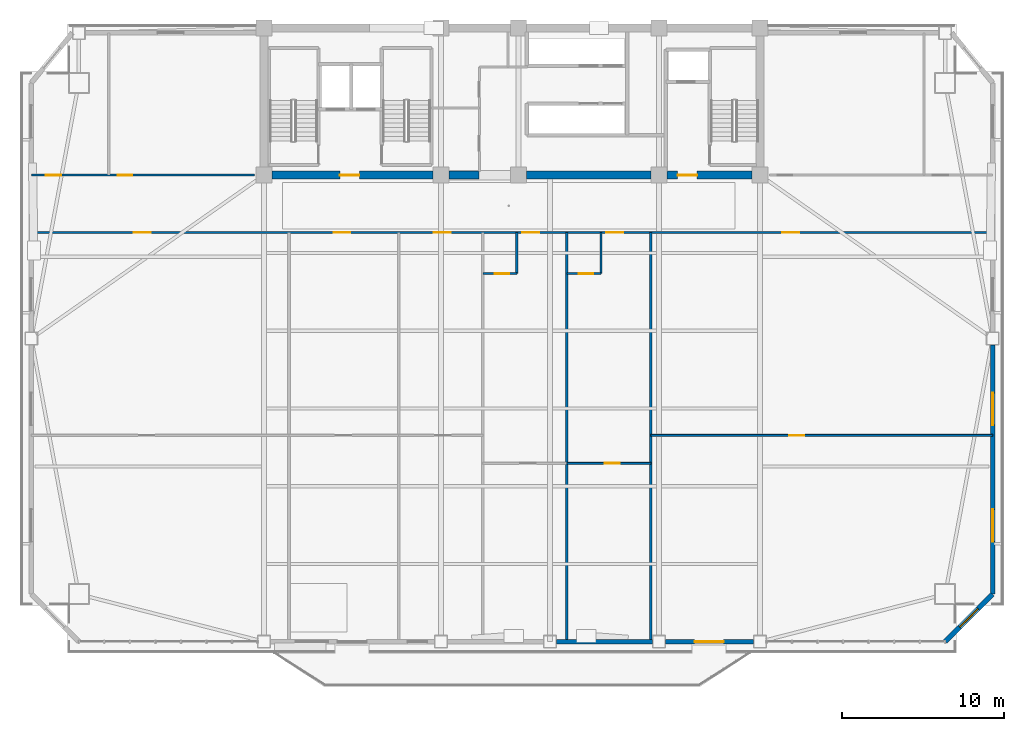
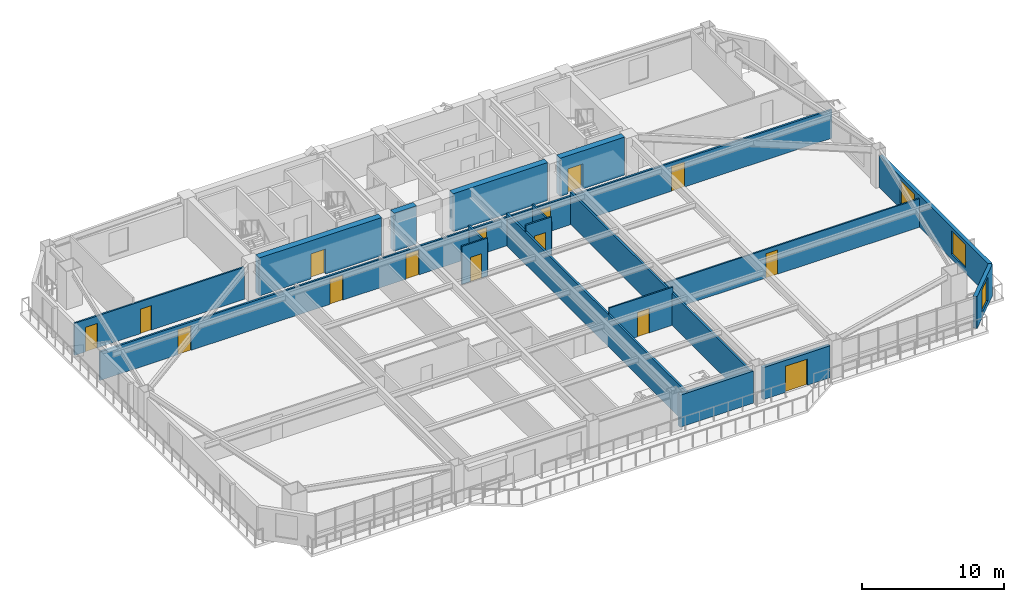
# One storey, part 8 of 15: 18 walls, 15 doors, 3 windows, 18 openings.
"""IFC4 building model written with IfcOpenShell, lengths in metres."""

import ifcopenshell
import ifcopenshell.guid

model = None  # the IFC model being written
_history = None  # IfcOwnerHistory: only IFC2X3 demands one
_inside = {}  # id of a spatial element -> (the spatial element, [elements in it])
_under = {}  # id of a project, library or spatial element -> (it, [spatial elements below it])
_declared = {}  # id of a project -> (the project, [libraries it declares])
_typed = {}  # id of a type object -> (the type object, [elements of that type])
_made_of = {}  # id of a material, layer set ... -> (it, [elements and type objects made of it])


def new_model(schema):
    """Start an empty IFC model of exactly this schema.

    Asked for "IFC4X3", IfcOpenShell would pick the latest addendum, in which some entities
    have other attributes; the version numbers below select the first issue.
    IFC2X3 requires an IfcOwnerHistory on every rooted entity: one is made here for all.
    """
    global model, _history
    if schema == "IFC4X3":
        model = ifcopenshell.file(schema_version=(4, 3, 0, 0))
    else:
        model = ifcopenshell.file(schema=schema)
    _inside.clear()
    _under.clear()
    _declared.clear()
    _typed.clear()
    _made_of.clear()
    _history = None
    if model.schema == "IFC2X3":
        org = make("IfcOrganization", Name="unknown")
        user = make(
            "IfcPersonAndOrganization",
            ThePerson=make("IfcPerson", FamilyName="unknown"),
            TheOrganization=org,
        )
        app = make(
            "IfcApplication",
            ApplicationDeveloper=org,
            Version="unknown",
            ApplicationFullName="unknown",
            ApplicationIdentifier="unknown",
        )
        _history = make(
            "IfcOwnerHistory",
            OwningUser=user,
            OwningApplication=app,
            ChangeAction="ADDED",
            CreationDate=0,
        )
    return model


def make(cls, **values):
    """One entity of the class cls with the attributes given. An attribute that is None is left unset."""
    return model.create_entity(
        cls, **{name: value for name, value in values.items() if value is not None}
    )


def rooted(cls, **values):
    """An entity with a GlobalId (a new one), such as an element, a storey or a relation."""
    return make(cls, GlobalId=ifcopenshell.guid.new(), OwnerHistory=_history, **values)


def si_unit(unit_type, name, prefix=None):
    """IfcSIUnit, for example si_unit("LENGTHUNIT", "METRE", prefix="MILLI")."""
    return make("IfcSIUnit", UnitType=unit_type, Prefix=prefix, Name=name)


def assignment(units):
    """IfcUnitAssignment: the units of a project."""
    return None if units is None else make("IfcUnitAssignment", Units=units)


def point(xyz):
    """IfcCartesianPoint."""
    return None if xyz is None else make("IfcCartesianPoint", Coordinates=xyz)


def direction(xyz):
    """IfcDirection."""
    return None if xyz is None else make("IfcDirection", DirectionRatios=xyz)


def frame(location, z_axis=None, x_axis=None):
    """IfcAxis2Placement3D, a coordinate frame: its origin and axes. An axis left out is left unset."""
    return make(
        "IfcAxis2Placement3D",
        Location=point(location),
        Axis=direction(z_axis),
        RefDirection=direction(x_axis),
    )


def frame_2d(location, x_axis=None):
    """IfcAxis2Placement2D, a coordinate frame in the plane: its origin and x axis."""
    return make(
        "IfcAxis2Placement2D", Location=point(location), RefDirection=direction(x_axis)
    )


def origin():
    """The frame at (0, 0, 0) with its axes left unset."""
    return frame((0.0, 0.0, 0.0))


def place(relative_to, where):
    """IfcLocalPlacement: puts the frame where relative to a parent placement (None: the world)."""
    return make(
        "IfcLocalPlacement", PlacementRelTo=relative_to, RelativePlacement=where
    )


def context(
    kind, dimensions, precision=None, world=None, true_north=None, identifier=None
):
    """IfcGeometricRepresentationContext, for example the 3D "Model" context."""
    return make(
        "IfcGeometricRepresentationContext",
        ContextIdentifier=identifier,
        ContextType=kind,
        CoordinateSpaceDimension=dimensions,
        Precision=precision,
        WorldCoordinateSystem=world,
        TrueNorth=true_north,
    )


def subcontext(parent, identifier, kind, view, scale=None):
    """IfcGeometricRepresentationSubContext, for example "Body" below "Model"."""
    return make(
        "IfcGeometricRepresentationSubContext",
        ContextIdentifier=identifier,
        ContextType=kind,
        ParentContext=parent,
        TargetScale=scale,
        TargetView=view,
    )


def project(units=None, contexts=None):
    """IfcProject with its units and contexts."""
    return rooted(
        "IfcProject",
        Name="project",
        RepresentationContexts=contexts,
        UnitsInContext=assignment(units),
    )


def spatial(cls, under=None, at=None, **own):
    """A site, building, storey or space (cls), placed at a placement, below another one or the project."""
    s = rooted(cls, ObjectPlacement=at, **own)
    if under is not None:
        _under.setdefault(under.id(), (under, []))[1].append(s)
    return s


def profile(cls, at=None, kind="AREA", **sizes):
    """A parametric profile (cls). Its sizes go by their IFC names, for example OverallWidth=200.0."""
    return make(cls, ProfileType=kind, Position=at, **sizes)


def rectangle(**sizes):
    """IfcRectangleProfileDef."""
    return profile("IfcRectangleProfileDef", **sizes)


def extrude(swept, where, along, depth):
    """IfcExtrudedAreaSolid: the profile swept, set in the frame where, extruded along a direction by depth."""
    return make(
        "IfcExtrudedAreaSolid",
        SweptArea=swept,
        Position=where,
        ExtrudedDirection=direction(along),
        Depth=depth,
    )


def shape(context_of_items, identifier, shape_type, items):
    """IfcShapeRepresentation: the items that make up one representation, for example the "Body"."""
    return make(
        "IfcShapeRepresentation",
        ContextOfItems=context_of_items,
        RepresentationIdentifier=identifier,
        RepresentationType=shape_type,
        Items=items,
    )


def source(mapping_origin, context_of_items, identifier, shape_type, items):
    """IfcRepresentationMap: a shape defined once, which mapped items show again and again."""
    return make(
        "IfcRepresentationMap",
        MappingOrigin=mapping_origin,
        MappedRepresentation=shape(context_of_items, identifier, shape_type, items),
    )


def transform(
    local_origin,
    x_axis=None,
    y_axis=None,
    z_axis=None,
    scale=None,
    scale2=None,
    scale3=None,
    uniform=True,
):
    """IfcCartesianTransformationOperator3D, or its non-uniform kind. x_axis, y_axis, z_axis: its Axis1, 2, 3."""
    if uniform:
        return make(
            "IfcCartesianTransformationOperator3D",
            Axis1=direction(x_axis),
            Axis2=direction(y_axis),
            LocalOrigin=point(local_origin),
            Scale=scale,
            Axis3=direction(z_axis),
        )
    return make(
        "IfcCartesianTransformationOperator3DnonUniform",
        Axis1=direction(x_axis),
        Axis2=direction(y_axis),
        LocalOrigin=point(local_origin),
        Scale=scale,
        Axis3=direction(z_axis),
        Scale2=scale2,
        Scale3=scale3,
    )


def mapped(mapping_source, mapping_target):
    """IfcMappedItem: shows the shape of a source again, moved by a transform."""
    return make(
        "IfcMappedItem", MappingSource=mapping_source, MappingTarget=mapping_target
    )


def material(Name=None, Category=None):
    """IfcMaterial."""
    return make("IfcMaterial", Name=Name, Category=Category)


def layer(
    of_material, thickness, ventilated=None, Name=None, Category=None, Priority=None
):
    """IfcMaterialLayer: one layer of a wall or slab, of a material (None: an air gap)."""
    return make(
        "IfcMaterialLayer",
        Material=of_material,
        LayerThickness=thickness,
        IsVentilated=ventilated,
        Name=Name,
        Category=Category,
        Priority=Priority,
    )


def layer_set(layers, Name=None):
    """IfcMaterialLayerSet."""
    return make("IfcMaterialLayerSet", MaterialLayers=layers, LayerSetName=Name)


def made_of(thing, what):
    """Note that an element or type object is made of a material, layer set ...; save() writes the relation."""
    if what is not None:
        _made_of.setdefault(what.id(), (what, []))[1].append(thing)
    return thing


def type_object(cls, material=None, **own):
    """A type object (cls), such as IfcWallType, which elements share."""
    return made_of(rooted(cls, **own), material)


def element(
    cls,
    number,
    at=None,
    inside=None,
    cuts=None,
    type_object=None,
    material=None,
    context=None,
    identifier="Body",
    shape_type=None,
    held_by="IfcProductDefinitionShape",
    body=None,
    shapes=None,
    **own,
):
    """One element of the class cls, such as IfcWall. Its Tag is "e" and its number.

    at: its placement. inside: the storey or other place that contains it. cuts: it is an
    opening in that element (IfcRelVoidsElement). A single representation is given by context,
    identifier, shape_type and body (its items); several are given by shapes. held_by: the class
    of the entity that holds the representations. save() writes the other relations.
    """
    e = rooted(cls, Tag="e%d" % number, ObjectPlacement=at, **own)
    if body is not None:
        shapes = [shape(context, identifier, shape_type, body)]
    if shapes is not None:
        e.Representation = make(held_by, Representations=shapes)
    if inside is not None:
        _inside.setdefault(inside.id(), (inside, []))[1].append(e)
    if cuts is not None:
        rooted(
            "IfcRelVoidsElement", RelatingBuildingElement=cuts, RelatedOpeningElement=e
        )
    if type_object is not None:
        _typed.setdefault(type_object.id(), (type_object, []))[1].append(e)
    return made_of(e, material)


def fill(opening, filler):
    """IfcRelFillsElement: the door or window that sits in an opening."""
    return rooted(
        "IfcRelFillsElement",
        RelatingOpeningElement=opening,
        RelatedBuildingElement=filler,
    )


def aggregate(whole, parts):
    """IfcRelAggregates: a whole, such as a stair, and the parts it consists of."""
    return rooted("IfcRelAggregates", RelatingObject=whole, RelatedObjects=parts)


def save(model, path):
    """Write the relations noted so far, then the file.

    IfcRelAggregates (storeys below a building ...), IfcRelContainedInSpatialStructure (elements
    in a storey), IfcRelDefinesByType, IfcRelAssociatesMaterial and IfcRelDeclares: one each for
    every whole, place, type object, material and project.
    """
    for whole, parts in _under.values():
        aggregate(whole, parts)
    for where, things in _inside.values():
        rooted(
            "IfcRelContainedInSpatialStructure",
            RelatedElements=things,
            RelatingStructure=where,
        )
    for kind, things in _typed.values():
        rooted("IfcRelDefinesByType", RelatedObjects=things, RelatingType=kind)
    for what, things in _made_of.values():
        rooted("IfcRelAssociatesMaterial", RelatedObjects=things, RelatingMaterial=what)
    for by, libraries in _declared.values():
        rooted("IfcRelDeclares", RelatingContext=by, RelatedDefinitions=libraries)
    model.write(path)


model = new_model("IFC4")

# Units and contexts
model_context = context("Model", 3, precision=1e-05, world=origin(), true_north=direction((0.0, 1.0)))
body_context = subcontext(model_context, "Body", "Model", "MODEL_VIEW")
ifc_project = project(units=[si_unit("LENGTHUNIT", "METRE"), si_unit("AREAUNIT", "SQUARE_METRE"), si_unit("VOLUMEUNIT", "CUBIC_METRE"), si_unit("PLANEANGLEUNIT", "RADIAN"), si_unit("MASSUNIT", "GRAM", prefix="KILO")], contexts=[model_context])

# Site, building, storey
site_placement = place(None, origin())
site = spatial("IfcSite", under=ifc_project, at=site_placement, CompositionType="ELEMENT")
building_placement = place(site_placement, origin())
building = spatial("IfcBuilding", under=site, at=building_placement, Name="Giltprow Tower", CompositionType="ELEMENT")
storey_placement = place(building_placement, frame((0.0, 0.0, 152.699951171875)))
storey = spatial("IfcBuildingStorey", under=building, at=storey_placement, Name="L37", CompositionType="ELEMENT", Elevation=152.699951171875)

# Wall, opening, window
ifc_material_1 = material(Name="Precast concrete C40", Category="concrete")
ifc_layer_1 = layer(ifc_material_1, 0.300048828125, Name="Precast concrete C40")
ifc_layer_set_1 = layer_set([ifc_layer_1], Name="Precast concrete C40")
wall_type_1 = type_object("IfcWallType", Name="EW-NOTCH-CHAMFER-300", PredefinedType="SOLIDWALL", material=ifc_layer_set_1)
wall_1_placement = place(storey_placement, frame((62.011962890625, 8.572021484375, 0.0), z_axis=(0.0, 0.0, 1.0), x_axis=(0.707106781187, 0.707106781187, 0.0)))
wall_1 = element("IfcWall", 1, at=wall_1_placement, inside=storey, type_object=wall_type_1, Name="L37 Corner Notch Wall SE", PredefinedType="SOLIDWALL", context=body_context, shape_type="SweptSolid", body=[
    extrude(rectangle(XDim=4.15625, YDim=0.300048828125, at=frame_2d((2.078125, 0.0))), origin(), (0.0, 0.0, 1.0), 2.75),
])
opening_1_placement = place(wall_1_placement, frame((1.278076171875, 0.0, 0.449951171875)))
opening_1 = element("IfcOpeningElement", 2, at=opening_1_placement, cuts=wall_1, Name="Opening WN17", PredefinedType="OPENING", context=body_context, shape_type="SweptSolid", body=[
    extrude(rectangle(XDim=1.60009765625, YDim=2.0, at=frame_2d((0.800048828125, 1.0))), frame((0.0, 0.159912109375, 0.0), z_axis=(0.0, -1.0, 0.0), x_axis=(1.0, 0.0, 0.0)), (0.0, 0.0, 1.0), 0.320068359375),
])
ifc_material_2 = material(Name="Insulated glass", Category="glass")
window_type_1 = type_object("IfcWindowType", Name="WN-COR-1600x2000", PartitioningType="SINGLE_PANEL", PredefinedType="WINDOW", material=ifc_material_2)
shared_shape_1 = source(origin(), body_context, "Body", "SweptSolid", [
    extrude(rectangle(XDim=1.60009765625, YDim=2.0, at=frame_2d((0.800048828125, 1.0))), frame((0.0, 0.030029296875, 0.0), z_axis=(0.0, -1.0, 0.0), x_axis=(1.0, 0.0, 0.0)), (0.0, 0.0, 1.0), 0.06005859375),
])
window_1_placement = place(opening_1_placement, origin())
window_1 = element("IfcWindow", 3, at=window_1_placement, inside=storey, type_object=window_type_1, Name="L37 Corner Notch Window SE", OverallHeight=2.0, OverallWidth=1.60009765625, PartitioningType="SINGLE_PANEL", PredefinedType="WINDOW", context=body_context, shape_type="MappedRepresentation", body=[
    mapped(shared_shape_1, transform((0.0, 0.0, 0.0), x_axis=(1.0, 0.0, 0.0), y_axis=(0.0, 1.0, 0.0), z_axis=(0.0, 0.0, 1.0), scale=1.0)),
])
fill(opening_1, window_1)

# Wall
ifc_layer_2 = layer(ifc_material_1, 0.280029296875, Name="Precast concrete C40")
ifc_layer_set_2 = layer_set([ifc_layer_2], Name="Precast concrete C40")
wall_type_2 = type_object("IfcWallType", Name="EW-TOW-BRONZE-280", PredefinedType="SOLIDWALL", material=ifc_layer_set_2)
wall_2_placement = place(storey_placement, frame((37.949951171875, 8.572021484375, 0.0), z_axis=(0.0, 0.0, 1.0), x_axis=(1.0, 0.0, 0.0)))
element("IfcWall", 4, at=wall_2_placement, inside=storey, type_object=wall_type_2, Name="L37 South Expressed Frame Wall 4", PredefinedType="SOLIDWALL", context=body_context, shape_type="SweptSolid", body=[
    extrude(rectangle(XDim=5.949951171875, YDim=0.280029296875, at=frame_2d((2.97509765625, 0.0))), origin(), (0.0, 0.0, 1.0), 2.75),
])

# Wall, opening, door
wall_3_placement = place(storey_placement, frame((44.699951171875, 8.572021484375, 0.0), z_axis=(0.0, 0.0, 1.0), x_axis=(1.0, 0.0, 0.0)))
wall_3 = element("IfcWall", 5, at=wall_3_placement, inside=storey, type_object=wall_type_2, Name="L37 South Expressed Frame Wall 5", PredefinedType="SOLIDWALL", context=body_context, shape_type="SweptSolid", body=[
    extrude(rectangle(XDim=5.449951171875, YDim=0.280029296875, at=frame_2d((2.72509765625, 0.0))), origin(), (0.0, 0.0, 1.0), 2.75),
])
opening_2_placement = place(wall_3_placement, frame((1.800048828125, 0.0, 0.0)))
opening_2 = element("IfcOpeningElement", 6, at=opening_2_placement, cuts=wall_3, Name="Opening ED25", PredefinedType="OPENING", context=body_context, shape_type="SweptSolid", body=[
    extrude(rectangle(XDim=1.800048828125, YDim=2.25, at=frame_2d((0.89990234375, 1.125))), frame((0.0, 0.14990234375, 0.0), z_axis=(0.0, -1.0, 0.0), x_axis=(1.0, 0.0, 0.0)), (0.0, 0.0, 1.0), 0.300048828125),
])
ifc_material_3 = material(Name="Anodized bronze and glass", Category="glass")
door_type_1 = type_object("IfcDoorType", Name="DR-BALC-SLIDE-1800", OperationType="SLIDING_TO_LEFT", PredefinedType="DOOR", material=ifc_material_3)
shared_shape_2 = source(origin(), body_context, "Body", "SweptSolid", [
    extrude(rectangle(XDim=1.800048828125, YDim=2.25, at=frame_2d((0.89990234375, 1.125))), frame((0.0, 0.02490234375, 0.0), z_axis=(0.0, -1.0, 0.0), x_axis=(1.0, 0.0, 0.0)), (0.0, 0.0, 1.0), 0.050048828125),
])
door_1_placement = place(opening_2_placement, origin())
door_1 = element("IfcDoor", 7, at=door_1_placement, inside=storey, type_object=door_type_1, Name="L37 Waterfront Balcony Sliding Door 2", OperationType="SLIDING_TO_LEFT", OverallHeight=2.25, OverallWidth=1.800048828125, PredefinedType="DOOR", context=body_context, shape_type="MappedRepresentation", body=[
    mapped(shared_shape_2, transform((0.0, 0.0, 0.0), x_axis=(1.0, 0.0, 0.0), y_axis=(0.0, 1.0, 0.0), z_axis=(0.0, 0.0, 1.0), scale=1.0)),
])
fill(opening_2, door_1)

# Wall, openings, windows
wall_4_placement = place(storey_placement, frame((64.950927734375, 11.510986328125, 0.0), z_axis=(0.0, 0.0, 1.0), x_axis=(0.0, 1.0, 0.0)))
wall_4 = element("IfcWall", 8, at=wall_4_placement, inside=storey, type_object=wall_type_2, Name="L37 E Wing Masonry Wall 1", PredefinedType="SOLIDWALL", context=body_context, shape_type="SweptSolid", body=[
    extrude(rectangle(XDim=15.425048828125, YDim=0.280029296875, at=frame_2d((7.71240234375, 0.0))), origin(), (0.0, 0.0, 1.0), 2.75),
])
opening_3_placement = place(wall_4_placement, frame((3.2509765625, 0.0, 0.449951171875)))
opening_3 = element("IfcOpeningElement", 9, at=opening_3_placement, cuts=wall_4, Name="Opening WN21", PredefinedType="OPENING", context=body_context, shape_type="SweptSolid", body=[
    extrude(rectangle(XDim=2.0, YDim=2.0, at=frame_2d((1.0, 1.0))), frame((0.0, 0.14990234375, 0.0), z_axis=(0.0, -1.0, 0.0), x_axis=(1.0, 0.0, 0.0)), (0.0, 0.0, 1.0), 0.300048828125),
])
opening_4_placement = place(wall_4_placement, frame((10.462890625, 0.0, 0.449951171875)))
opening_4 = element("IfcOpeningElement", 10, at=opening_4_placement, cuts=wall_4, Name="Opening WN21", PredefinedType="OPENING", context=body_context, shape_type="SweptSolid", body=[
    extrude(rectangle(XDim=2.0, YDim=2.0, at=frame_2d((1.0, 1.0))), frame((0.0, 0.14990234375, 0.0), z_axis=(0.0, -1.0, 0.0), x_axis=(1.0, 0.0, 0.0)), (0.0, 0.0, 1.0), 0.300048828125),
])
window_type_2 = type_object("IfcWindowType", Name="WN-HTL-2000x2000", PartitioningType="DOUBLE_PANEL_VERTICAL", PredefinedType="WINDOW", material=ifc_material_2)
shared_shape_3 = source(origin(), body_context, "Body", "SweptSolid", [
    extrude(rectangle(XDim=2.0, YDim=2.0, at=frame_2d((1.0, 1.0))), frame((0.0, 0.030029296875, 0.0), z_axis=(0.0, -1.0, 0.0), x_axis=(1.0, 0.0, 0.0)), (0.0, 0.0, 1.0), 0.06005859375),
])
window_2_placement = place(opening_3_placement, origin())
window_2 = element("IfcWindow", 11, at=window_2_placement, inside=storey, type_object=window_type_2, Name="L37 E Wing Window 1-1A", OverallHeight=2.0, OverallWidth=2.0, PartitioningType="SINGLE_PANEL", PredefinedType="WINDOW", context=body_context, shape_type="MappedRepresentation", body=[
    mapped(shared_shape_3, transform((0.0, 0.0, 0.0), x_axis=(1.0, 0.0, 0.0), y_axis=(0.0, 1.0, 0.0), z_axis=(0.0, 0.0, 1.0), scale=1.0)),
])
fill(opening_3, window_2)
window_3_placement = place(opening_4_placement, origin())
window_3 = element("IfcWindow", 12, at=window_3_placement, inside=storey, type_object=window_type_2, Name="L37 E Wing Window 1-1B", OverallHeight=2.0, OverallWidth=2.0, PartitioningType="SINGLE_PANEL", PredefinedType="WINDOW", context=body_context, shape_type="MappedRepresentation", body=[
    mapped(shared_shape_3, transform((0.0, 0.0, 0.0), x_axis=(1.0, 0.0, 0.0), y_axis=(0.0, 1.0, 0.0), z_axis=(0.0, 0.0, 1.0), scale=1.0)),
])
fill(opening_4, window_3)

# Wall, openings, doors
ifc_material_4 = material(Name="Gypsum stud partition", Category="gypsum")
ifc_layer_3 = layer(ifc_material_4, 0.14990234375, Name="Gypsum stud partition")
ifc_layer_set_3 = layer_set([ifc_layer_3], Name="Gypsum stud partition")
wall_type_3 = type_object("IfcWallType", Name="IW-CORR-150", PredefinedType="PARTITIONING", material=ifc_layer_set_3)
wall_5_placement = place(storey_placement, frame((5.448974609375, 33.89990234375, 0.0), z_axis=(0.0, 0.0, 1.0), x_axis=(1.0, 0.0, 0.0)))
wall_5 = element("IfcWall", 13, at=wall_5_placement, inside=storey, type_object=wall_type_3, Name="L37 Hotel Guestroom Corridor Wall", PredefinedType="PARTITIONING", context=body_context, shape_type="SweptSolid", body=[
    extrude(rectangle(XDim=59.501953125, YDim=0.14990234375, at=frame_2d((29.7509765625, 0.0))), origin(), (0.0, 0.0, 1.0), 2.455078125),
])
opening_5_placement = place(wall_5_placement, frame((6.35498046875, 0.0, 0.0)))
opening_5 = element("IfcOpeningElement", 14, at=opening_5_placement, cuts=wall_5, Name="Opening ID31", PredefinedType="OPENING", context=body_context, shape_type="SweptSolid", body=[
    extrude(rectangle(XDim=1.050048828125, YDim=2.14990234375, at=frame_2d((0.52490234375, 1.074951171875))), frame((0.0, 0.0849609375, 0.0), z_axis=(0.0, -1.0, 0.0), x_axis=(1.0, 0.0, 0.0)), (0.0, 0.0, 1.0), 0.169921875),
])
opening_6_placement = place(wall_5_placement, frame((18.7041015625, 0.0, 0.0)))
opening_6 = element("IfcOpeningElement", 15, at=opening_6_placement, cuts=wall_5, Name="Opening ID31", PredefinedType="OPENING", context=body_context, shape_type="SweptSolid", body=[
    extrude(rectangle(XDim=1.050048828125, YDim=2.14990234375, at=frame_2d((0.52490234375, 1.074951171875))), frame((0.0, 0.0849609375, 0.0), z_axis=(0.0, -1.0, 0.0), x_axis=(1.0, 0.0, 0.0)), (0.0, 0.0, 1.0), 0.169921875),
])
opening_7_placement = place(wall_5_placement, frame((24.89599609375, 0.0, 0.0)))
opening_7 = element("IfcOpeningElement", 16, at=opening_7_placement, cuts=wall_5, Name="Opening ID31", PredefinedType="OPENING", context=body_context, shape_type="SweptSolid", body=[
    extrude(rectangle(XDim=1.050048828125, YDim=2.14990234375, at=frame_2d((0.52490234375, 1.074951171875))), frame((0.0, 0.0849609375, 0.0), z_axis=(0.0, -1.0, 0.0), x_axis=(1.0, 0.0, 0.0)), (0.0, 0.0, 1.0), 0.169921875),
])
opening_8_placement = place(wall_5_placement, frame((30.386962890625, 0.0, 0.0)))
opening_8 = element("IfcOpeningElement", 17, at=opening_8_placement, cuts=wall_5, Name="Opening ID31", PredefinedType="OPENING", context=body_context, shape_type="SweptSolid", body=[
    extrude(rectangle(XDim=1.050048828125, YDim=2.14990234375, at=frame_2d((0.52490234375, 1.074951171875))), frame((0.0, 0.0849609375, 0.0), z_axis=(0.0, -1.0, 0.0), x_axis=(1.0, 0.0, 0.0)), (0.0, 0.0, 1.0), 0.169921875),
])
opening_9_placement = place(wall_5_placement, frame((35.5869140625, 0.0, 0.0)))
opening_9 = element("IfcOpeningElement", 18, at=opening_9_placement, cuts=wall_5, Name="Opening ID31", PredefinedType="OPENING", context=body_context, shape_type="SweptSolid", body=[
    extrude(rectangle(XDim=1.050048828125, YDim=2.14990234375, at=frame_2d((0.52490234375, 1.074951171875))), frame((0.0, 0.0849609375, 0.0), z_axis=(0.0, -1.0, 0.0), x_axis=(1.0, 0.0, 0.0)), (0.0, 0.0, 1.0), 0.169921875),
])
opening_10_placement = place(wall_5_placement, frame((46.48193359375, 0.0, 0.0)))
opening_10 = element("IfcOpeningElement", 19, at=opening_10_placement, cuts=wall_5, Name="Opening ID31", PredefinedType="OPENING", context=body_context, shape_type="SweptSolid", body=[
    extrude(rectangle(XDim=1.050048828125, YDim=2.14990234375, at=frame_2d((0.52490234375, 1.074951171875))), frame((0.0, 0.0849609375, 0.0), z_axis=(0.0, -1.0, 0.0), x_axis=(1.0, 0.0, 0.0)), (0.0, 0.0, 1.0), 0.169921875),
])
ifc_material_5 = material(Name="Engineered timber", Category="wood")
door_type_2 = type_object("IfcDoorType", Name="DR-SUITE-1050", OperationType="SINGLE_SWING_LEFT", PredefinedType="DOOR", material=ifc_material_5)
shared_shape_4 = source(origin(), body_context, "Body", "SweptSolid", [
    extrude(rectangle(XDim=1.050048828125, YDim=2.14990234375, at=frame_2d((0.52490234375, 1.074951171875))), frame((0.0, 0.02490234375, 0.0), z_axis=(0.0, -1.0, 0.0), x_axis=(1.0, 0.0, 0.0)), (0.0, 0.0, 1.0), 0.050048828125),
])
door_2_placement = place(opening_5_placement, origin())
door_2 = element("IfcDoor", 20, at=door_2_placement, inside=storey, type_object=door_type_2, Name="L37 Suite Reception Foyer Door", OperationType="SINGLE_SWING_RIGHT", OverallHeight=2.14990234375, OverallWidth=1.050048828125, PredefinedType="DOOR", context=body_context, shape_type="MappedRepresentation", body=[
    mapped(shared_shape_4, transform((0.0, 0.0, 0.0), x_axis=(1.0, 0.0, 0.0), y_axis=(0.0, 1.0, 0.0), z_axis=(0.0, 0.0, 1.0), scale=1.0)),
])
fill(opening_5, door_2)
door_3_placement = place(opening_6_placement, origin())
door_3 = element("IfcDoor", 21, at=door_3_placement, inside=storey, type_object=door_type_2, Name="L37 Suite Reception Foyer Door", OperationType="SINGLE_SWING_RIGHT", OverallHeight=2.14990234375, OverallWidth=1.050048828125, PredefinedType="DOOR", context=body_context, shape_type="MappedRepresentation", body=[
    mapped(shared_shape_4, transform((0.0, 0.0, 0.0), x_axis=(1.0, 0.0, 0.0), y_axis=(0.0, 1.0, 0.0), z_axis=(0.0, 0.0, 1.0), scale=1.0)),
])
fill(opening_6, door_3)
door_4_placement = place(opening_7_placement, origin())
door_4 = element("IfcDoor", 22, at=door_4_placement, inside=storey, type_object=door_type_2, Name="L37 Suite Reception Foyer Door", OperationType="SINGLE_SWING_RIGHT", OverallHeight=2.14990234375, OverallWidth=1.050048828125, PredefinedType="DOOR", context=body_context, shape_type="MappedRepresentation", body=[
    mapped(shared_shape_4, transform((0.0, 0.0, 0.0), x_axis=(1.0, 0.0, 0.0), y_axis=(0.0, 1.0, 0.0), z_axis=(0.0, 0.0, 1.0), scale=1.0)),
])
fill(opening_7, door_4)
door_5_placement = place(opening_8_placement, origin())
door_5 = element("IfcDoor", 23, at=door_5_placement, inside=storey, type_object=door_type_2, Name="L37 Hotel Room 4 Entry Door", OperationType="SINGLE_SWING_RIGHT", OverallHeight=2.14990234375, OverallWidth=1.050048828125, PredefinedType="DOOR", context=body_context, shape_type="MappedRepresentation", body=[
    mapped(shared_shape_4, transform((0.0, 0.0, 0.0), x_axis=(1.0, 0.0, 0.0), y_axis=(0.0, 1.0, 0.0), z_axis=(0.0, 0.0, 1.0), scale=1.0)),
])
fill(opening_8, door_5)
door_6_placement = place(opening_9_placement, origin())
door_6 = element("IfcDoor", 24, at=door_6_placement, inside=storey, type_object=door_type_2, Name="L37 Hotel Room 5 Entry Door", OperationType="SINGLE_SWING_LEFT", OverallHeight=2.14990234375, OverallWidth=1.050048828125, PredefinedType="DOOR", context=body_context, shape_type="MappedRepresentation", body=[
    mapped(shared_shape_4, transform((0.0, 0.0, 0.0), x_axis=(1.0, 0.0, 0.0), y_axis=(0.0, 1.0, 0.0), z_axis=(0.0, 0.0, 1.0), scale=1.0)),
])
fill(opening_9, door_6)
door_7_placement = place(opening_10_placement, origin())
door_7 = element("IfcDoor", 25, at=door_7_placement, inside=storey, type_object=door_type_2, Name="L37 Suite Reception Foyer Door", OperationType="SINGLE_SWING_RIGHT", OverallHeight=2.14990234375, OverallWidth=1.050048828125, PredefinedType="DOOR", context=body_context, shape_type="MappedRepresentation", body=[
    mapped(shared_shape_4, transform((0.0, 0.0, 0.0), x_axis=(1.0, 0.0, 0.0), y_axis=(0.0, 1.0, 0.0), z_axis=(0.0, 0.0, 1.0), scale=1.0)),
])
fill(opening_10, door_7)

# Walls
ifc_layer_4 = layer(ifc_material_4, 0.159912109375, Name="Gypsum stud partition")
ifc_layer_set_4 = layer_set([ifc_layer_4], Name="Gypsum stud partition")
wall_type_4 = type_object("IfcWallType", Name="IW-DEMISE-160", PredefinedType="PARTITIONING", material=ifc_layer_set_4)
for number, where, z_axis, x_axis, name in (
    (26, (38.60009765625, 8.572021484375, 0.0), (0.0, 0.0, 1.0), (0.0, 1.0, 0.0), "L37 Hotel Demising Wall 4"),
    (27, (43.800048828125, 8.572021484375, 0.0), (0.0, 0.0, 1.0), (0.0, 1.0, 0.0), "L37 Hotel Demising Wall 5"),
):
    element("IfcWall", number, at=place(storey_placement, frame(where, z_axis=z_axis, x_axis=x_axis)), inside=storey, type_object=wall_type_4, Name=name, PredefinedType="PARTITIONING", context=body_context, shape_type="SweptSolid", body=[
        extrude(rectangle(XDim=25.327880859375, YDim=0.159912109375, at=frame_2d((12.6640625, 0.0))), origin(), (0.0, 0.0, 1.0), 2.755126953125),
    ])

# Wall, opening, door
ifc_layer_5 = layer(ifc_material_4, 0.1201171875, Name="Gypsum stud partition")
ifc_layer_set_5 = layer_set([ifc_layer_5], Name="Gypsum stud partition")
wall_type_5 = type_object("IfcWallType", Name="IW-ROOM-120", PredefinedType="PARTITIONING", material=ifc_layer_set_5)
wall_6_placement = place(storey_placement, frame((38.60009765625, 19.60888671875, 0.0), z_axis=(0.0, 0.0, 1.0), x_axis=(1.0, 0.0, 0.0)))
wall_6 = element("IfcWall", 28, at=wall_6_placement, inside=storey, type_object=wall_type_5, Name="L37 Suite Parlour Divider 5", PredefinedType="PARTITIONING", context=body_context, shape_type="SweptSolid", body=[
    extrude(rectangle(XDim=5.199951171875, YDim=0.1201171875, at=frame_2d((2.60009765625, 0.0))), origin(), (0.0, 0.0, 1.0), 3.27001953125),
])
opening_11_placement = place(wall_6_placement, frame((2.324951171875, 0.0, 0.0)))
opening_11 = element("IfcOpeningElement", 29, at=opening_11_placement, cuts=wall_6, Name="Opening ID11", PredefinedType="OPENING", context=body_context, shape_type="SweptSolid", body=[
    extrude(rectangle(XDim=0.949951171875, YDim=2.10009765625, at=frame_2d((0.47509765625, 1.050048828125))), frame((0.0, 0.070068359375, 0.0), z_axis=(0.0, -1.0, 0.0), x_axis=(1.0, 0.0, 0.0)), (0.0, 0.0, 1.0), 0.14013671875),
])
door_type_3 = type_object("IfcDoorType", Name="DR-ROOM-950", OperationType="SINGLE_SWING_RIGHT", PredefinedType="DOOR", material=ifc_material_5)
shared_shape_5 = source(origin(), body_context, "Body", "SweptSolid", [
    extrude(rectangle(XDim=0.949951171875, YDim=2.10009765625, at=frame_2d((0.47509765625, 1.050048828125))), frame((0.0, 0.02490234375, 0.0), z_axis=(0.0, -1.0, 0.0), x_axis=(1.0, 0.0, 0.0)), (0.0, 0.0, 1.0), 0.050048828125),
])
door_8_placement = place(opening_11_placement, origin())
door_8 = element("IfcDoor", 30, at=door_8_placement, inside=storey, type_object=door_type_3, Name="L37 Harbour Parlour 5 Door", OperationType="SINGLE_SWING_LEFT", OverallHeight=2.10009765625, OverallWidth=0.949951171875, PredefinedType="DOOR", context=body_context, shape_type="MappedRepresentation", body=[
    mapped(shared_shape_5, transform((0.0, 0.0, 0.0), x_axis=(1.0, 0.0, 0.0), y_axis=(0.0, 1.0, 0.0), z_axis=(0.0, 0.0, 1.0), scale=1.0)),
])
fill(opening_11, door_8)

wall_7_placement = place(storey_placement, frame((43.800048828125, 21.3359375, 0.0), z_axis=(0.0, 0.0, 1.0), x_axis=(1.0, 0.0, 0.0)))
wall_7 = element("IfcWall", 31, at=wall_7_placement, inside=storey, type_object=wall_type_5, Name="L37 Amenity Mid Wall 6", PredefinedType="PARTITIONING", context=body_context, shape_type="SweptSolid", body=[
    extrude(rectangle(XDim=21.15087890625, YDim=0.1201171875, at=frame_2d((10.575439453125, 0.0))), origin(), (0.0, 0.0, 1.0), 2.455078125),
])
opening_12_placement = place(wall_7_placement, frame((8.5458984375, 0.0, 0.0)))
opening_12 = element("IfcOpeningElement", 32, at=opening_12_placement, cuts=wall_7, Name="Opening ID11", PredefinedType="OPENING", context=body_context, shape_type="SweptSolid", body=[
    extrude(rectangle(XDim=0.949951171875, YDim=2.10009765625, at=frame_2d((0.47509765625, 1.050048828125))), frame((0.0, 0.070068359375, 0.0), z_axis=(0.0, -1.0, 0.0), x_axis=(1.0, 0.0, 0.0)), (0.0, 0.0, 1.0), 0.14013671875),
])
door_9_placement = place(opening_12_placement, origin())
door_9 = element("IfcDoor", 33, at=door_9_placement, inside=storey, type_object=door_type_3, Name="L37 Finance Audit Office 4 Inner Door", OperationType="SINGLE_SWING_LEFT", OverallHeight=2.10009765625, OverallWidth=0.949951171875, PredefinedType="DOOR", context=body_context, shape_type="MappedRepresentation", body=[
    mapped(shared_shape_5, transform((0.0, 0.0, 0.0), x_axis=(1.0, 0.0, 0.0), y_axis=(0.0, 1.0, 0.0), z_axis=(0.0, 0.0, 1.0), scale=1.0)),
])
fill(opening_12, door_9)

ifc_material_6 = material(Name="Concrete C30", Category="concrete")
ifc_layer_6 = layer(ifc_material_6, 0.1298828125, Name="Concrete C30")
ifc_layer_set_6 = layer_set([ifc_layer_6], Name="Concrete C30")
wall_type_6 = type_object("IfcWallType", Name="IW-WET-130", PredefinedType="PARTITIONING", material=ifc_layer_set_6)
wall_8_placement = place(storey_placement, frame((33.39990234375, 31.35009765625, 0.0), z_axis=(0.0, 0.0, 1.0), x_axis=(1.0, 0.0, 0.0)))
wall_8 = element("IfcWall", 34, at=wall_8_placement, inside=storey, type_object=wall_type_6, Name="L37 En-Suite South Wall 4", PredefinedType="PARTITIONING", context=body_context, shape_type="SweptSolid", body=[
    extrude(rectangle(XDim=2.09619140625, YDim=0.1298828125, at=frame_2d((1.048095703125, 0.0))), origin(), (0.0, 0.0, 1.0), 3.27001953125),
])
opening_13_placement = place(wall_8_placement, frame((0.718017578125, 0.0, 0.0)))
opening_13 = element("IfcOpeningElement", 35, at=opening_13_placement, cuts=wall_8, Name="Opening ID15", PredefinedType="OPENING", context=body_context, shape_type="SweptSolid", body=[
    extrude(rectangle(XDim=0.89990234375, YDim=2.10009765625, at=frame_2d((0.449951171875, 1.050048828125))), frame((0.0, 0.074951171875, 0.0), z_axis=(0.0, -1.0, 0.0), x_axis=(1.0, 0.0, 0.0)), (0.0, 0.0, 1.0), 0.14990234375),
])
door_type_4 = type_object("IfcDoorType", Name="DR-WC-900", OperationType="SINGLE_SWING_LEFT", PredefinedType="DOOR", material=ifc_material_5)
shared_shape_6 = source(origin(), body_context, "Body", "SweptSolid", [
    extrude(rectangle(XDim=0.89990234375, YDim=2.10009765625, at=frame_2d((0.449951171875, 1.050048828125))), frame((0.0, 0.02490234375, 0.0), z_axis=(0.0, -1.0, 0.0), x_axis=(1.0, 0.0, 0.0)), (0.0, 0.0, 1.0), 0.050048828125),
])
door_10_placement = place(opening_13_placement, origin())
door_10 = element("IfcDoor", 36, at=door_10_placement, inside=storey, type_object=door_type_4, Name="L37 En-Suite 4 Door", OperationType="SINGLE_SWING_LEFT", OverallHeight=2.10009765625, OverallWidth=0.89990234375, PredefinedType="DOOR", context=body_context, shape_type="MappedRepresentation", body=[
    mapped(shared_shape_6, transform((0.0, 0.0, 0.0), x_axis=(1.0, 0.0, 0.0), y_axis=(0.0, 1.0, 0.0), z_axis=(0.0, 0.0, 1.0), scale=1.0)),
])
fill(opening_13, door_10)

# Wall
wall_9_placement = place(storey_placement, frame((35.49609375, 31.35009765625, 0.0), z_axis=(0.0, 0.0, 1.0), x_axis=(0.0, 1.0, 0.0)))
element("IfcWall", 37, at=wall_9_placement, inside=storey, type_object=wall_type_6, Name="L37 En-Suite East Wall 4", PredefinedType="PARTITIONING", context=body_context, shape_type="SweptSolid", body=[
    extrude(rectangle(XDim=2.5498046875, YDim=0.1298828125, at=frame_2d((1.27490234375, 0.0))), origin(), (0.0, 0.0, 1.0), 2.804931640625),
])

# Wall, opening, door
wall_10_placement = place(storey_placement, frame((38.60009765625, 31.35009765625, 0.0), z_axis=(0.0, 0.0, 1.0), x_axis=(1.0, 0.0, 0.0)))
wall_10 = element("IfcWall", 38, at=wall_10_placement, inside=storey, type_object=wall_type_6, Name="L37 En-Suite South Wall 5", PredefinedType="PARTITIONING", context=body_context, shape_type="SweptSolid", body=[
    extrude(rectangle(XDim=2.095947265625, YDim=0.1298828125, at=frame_2d((1.0478515625, 0.0))), origin(), (0.0, 0.0, 1.0), 3.27001953125),
])
opening_14_placement = place(wall_10_placement, frame((0.718017578125, 0.0, 0.0)))
opening_14 = element("IfcOpeningElement", 39, at=opening_14_placement, cuts=wall_10, Name="Opening ID15", PredefinedType="OPENING", context=body_context, shape_type="SweptSolid", body=[
    extrude(rectangle(XDim=0.89990234375, YDim=2.10009765625, at=frame_2d((0.449951171875, 1.050048828125))), frame((0.0, 0.074951171875, 0.0), z_axis=(0.0, -1.0, 0.0), x_axis=(1.0, 0.0, 0.0)), (0.0, 0.0, 1.0), 0.14990234375),
])
door_11_placement = place(opening_14_placement, origin())
door_11 = element("IfcDoor", 40, at=door_11_placement, inside=storey, type_object=door_type_4, Name="L37 En-Suite 5 Door", OperationType="SINGLE_SWING_RIGHT", OverallHeight=2.10009765625, OverallWidth=0.89990234375, PredefinedType="DOOR", context=body_context, shape_type="MappedRepresentation", body=[
    mapped(shared_shape_6, transform((0.0, 0.0, 0.0), x_axis=(1.0, 0.0, 0.0), y_axis=(0.0, 1.0, 0.0), z_axis=(0.0, 0.0, 1.0), scale=1.0)),
])
fill(opening_14, door_11)

# Wall
wall_11_placement = place(storey_placement, frame((40.696044921875, 31.35009765625, 0.0), z_axis=(0.0, 0.0, 1.0), x_axis=(0.0, 1.0, 0.0)))
element("IfcWall", 41, at=wall_11_placement, inside=storey, type_object=wall_type_6, Name="L37 En-Suite East Wall 5", PredefinedType="PARTITIONING", context=body_context, shape_type="SweptSolid", body=[
    extrude(rectangle(XDim=2.5498046875, YDim=0.1298828125, at=frame_2d((1.27490234375, 0.0))), origin(), (0.0, 0.0, 1.0), 2.804931640625),
])

# Wall, openings, doors
wall_12_placement = place(storey_placement, frame((5.448974609375, 37.449951171875, 0.0), z_axis=(0.0, 0.0, 1.0), x_axis=(1.0, 0.0, 0.0)))
wall_12 = element("IfcWall", 42, at=wall_12_placement, inside=storey, type_object=wall_type_6, Name="L37 NW Wing South Wall", PredefinedType="PARTITIONING", context=body_context, shape_type="SweptSolid", body=[
    extrude(rectangle(XDim=13.801025390625, YDim=0.1298828125, at=frame_2d((6.900390625, 0.0))), origin(), (0.0, 0.0, 1.0), 2.755126953125),
])
opening_15_placement = place(wall_12_placement, frame((0.89990234375, 0.0, 0.0)))
opening_15 = element("IfcOpeningElement", 43, at=opening_15_placement, cuts=wall_12, Name="Opening ID11", PredefinedType="OPENING", context=body_context, shape_type="SweptSolid", body=[
    extrude(rectangle(XDim=0.949951171875, YDim=2.10009765625, at=frame_2d((0.47509765625, 1.050048828125))), frame((0.0, 0.074951171875, 0.0), z_axis=(0.0, -1.0, 0.0), x_axis=(1.0, 0.0, 0.0)), (0.0, 0.0, 1.0), 0.14990234375),
])
opening_16_placement = place(wall_12_placement, frame((5.340087890625, 0.0, 0.0)))
opening_16 = element("IfcOpeningElement", 44, at=opening_16_placement, cuts=wall_12, Name="Opening ID15", PredefinedType="OPENING", context=body_context, shape_type="SweptSolid", body=[
    extrude(rectangle(XDim=0.89990234375, YDim=2.10009765625, at=frame_2d((0.449951171875, 1.050048828125))), frame((0.0, 0.074951171875, 0.0), z_axis=(0.0, -1.0, 0.0), x_axis=(1.0, 0.0, 0.0)), (0.0, 0.0, 1.0), 0.14990234375),
])
door_12_placement = place(opening_16_placement, origin())
door_12 = element("IfcDoor", 45, at=door_12_placement, inside=storey, type_object=door_type_4, Name="L37 NW Washroom Door", OperationType="SINGLE_SWING_LEFT", OverallHeight=2.10009765625, OverallWidth=0.89990234375, PredefinedType="DOOR", context=body_context, shape_type="MappedRepresentation", body=[
    mapped(shared_shape_6, transform((0.0, 0.0, 0.0), x_axis=(1.0, 0.0, 0.0), y_axis=(0.0, 1.0, 0.0), z_axis=(0.0, 0.0, 1.0), scale=1.0)),
])
fill(opening_16, door_12)
door_13_placement = place(opening_15_placement, origin())
door_13 = element("IfcDoor", 46, at=door_13_placement, inside=storey, type_object=door_type_3, Name="L37 Hotel Floor Butler Office West Door", OperationType="SINGLE_SWING_RIGHT", OverallHeight=2.10009765625, OverallWidth=0.949951171875, PredefinedType="DOOR", context=body_context, shape_type="MappedRepresentation", body=[
    mapped(shared_shape_5, transform((0.0, 0.0, 0.0), x_axis=(1.0, 0.0, 0.0), y_axis=(0.0, 1.0, 0.0), z_axis=(0.0, 0.0, 1.0), scale=1.0)),
])
fill(opening_15, door_13)

# Wall, opening, door
ifc_material_7 = material(Name="Concrete C50", Category="concrete")
ifc_layer_7 = layer(ifc_material_7, 0.5, Name="Concrete C50")
ifc_layer_set_7 = layer_set([ifc_layer_7], Name="Concrete C50")
wall_type_7 = type_object("IfcWallType", Name="SW-INT-500-C50", PredefinedType="SHEAR", material=ifc_layer_set_7)
wall_13_placement = place(storey_placement, frame((20.35009765625, 37.449951171875, 0.0), z_axis=(0.0, 0.0, 1.0), x_axis=(1.0, 0.0, 0.0)))
wall_13 = element("IfcWall", 47, at=wall_13_placement, inside=storey, type_object=wall_type_7, Name="L37 South Rear Core Shear Wall West", PredefinedType="SHEAR", context=body_context, shape_type="SweptSolid", body=[
    extrude(rectangle(XDim=9.949951171875, YDim=0.5, at=frame_2d((4.97509765625, 0.0))), origin(), (0.0, 0.0, 1.0), 3.27001953125),
])
opening_17_placement = place(wall_13_placement, frame((4.199951171875, 0.0, 0.0)))
opening_17 = element("IfcOpeningElement", 48, at=opening_17_placement, cuts=wall_13, Name="Opening ID19", PredefinedType="OPENING", context=body_context, shape_type="SweptSolid", body=[
    extrude(rectangle(XDim=1.199951171875, YDim=2.14990234375, at=frame_2d((0.60009765625, 1.074951171875))), frame((0.0, 0.260009765625, 0.0), z_axis=(0.0, -1.0, 0.0), x_axis=(1.0, 0.0, 0.0)), (0.0, 0.0, 1.0), 0.52001953125),
])
ifc_material_8 = material(Name="Steel fire leaf", Category="steel")
door_type_5 = type_object("IfcDoorType", Name="DR-FFLOBBY-1200", OperationType="SINGLE_SWING_RIGHT", PredefinedType="DOOR", material=ifc_material_8)
shared_shape_7 = source(origin(), body_context, "Body", "SweptSolid", [
    extrude(rectangle(XDim=1.199951171875, YDim=2.14990234375, at=frame_2d((0.60009765625, 1.074951171875))), frame((0.0, 0.02490234375, 0.0), z_axis=(0.0, -1.0, 0.0), x_axis=(1.0, 0.0, 0.0)), (0.0, 0.0, 1.0), 0.050048828125),
])
door_14_placement = place(opening_17_placement, origin())
door_14 = element("IfcDoor", 49, at=door_14_placement, inside=storey, type_object=door_type_5, Name="L37 West Firefighting Lobby Entry Door", OperationType="SINGLE_SWING_RIGHT", OverallHeight=2.14990234375, OverallWidth=1.199951171875, PredefinedType="DOOR", context=body_context, shape_type="MappedRepresentation", body=[
    mapped(shared_shape_7, transform((0.0, 0.0, 0.0), x_axis=(1.0, 0.0, 0.0), y_axis=(0.0, 1.0, 0.0), z_axis=(0.0, 0.0, 1.0), scale=1.0)),
])
fill(opening_17, door_14)

# Walls
wall_14_placement = place(storey_placement, frame((31.300048828125, 37.449951171875, 0.0), z_axis=(0.0, 0.0, 1.0), x_axis=(1.0, 0.0, 0.0)))
element("IfcWall", 50, at=wall_14_placement, inside=storey, type_object=wall_type_7, Name="L37 South Rear Core Shear Wall Mid-West", PredefinedType="SHEAR", context=body_context, shape_type="SweptSolid", body=[
    extrude(rectangle(XDim=1.849853515625, YDim=0.5, at=frame_2d((0.9248046875, 0.0))), origin(), (0.0, 0.0, 1.0), 3.27001953125),
])
wall_15_placement = place(storey_placement, frame((36.10009765625, 37.449951171875, 0.0), z_axis=(0.0, 0.0, 1.0), x_axis=(1.0, 0.0, 0.0)))
element("IfcWall", 51, at=wall_15_placement, inside=storey, type_object=wall_type_7, Name="L37 South Rear Core Shear Wall Mid-East", PredefinedType="SHEAR", context=body_context, shape_type="SweptSolid", body=[
    extrude(rectangle(XDim=7.699951171875, YDim=0.5, at=frame_2d((3.85009765625, 0.0))), origin(), (0.0, 0.0, 1.0), 3.27001953125),
])

# Wall, opening, door
wall_16_placement = place(storey_placement, frame((44.800048828125, 37.449951171875, 0.0), z_axis=(0.0, 0.0, 1.0), x_axis=(1.0, 0.0, 0.0)))
wall_16 = element("IfcWall", 52, at=wall_16_placement, inside=storey, type_object=wall_type_7, Name="L37 South Rear Core Shear Wall East", PredefinedType="SHEAR", context=body_context, shape_type="SweptSolid", body=[
    extrude(rectangle(XDim=5.25, YDim=0.5, at=frame_2d((2.625, 0.0))), origin(), (0.0, 0.0, 1.0), 3.27001953125),
])
opening_18_placement = place(wall_16_placement, frame((0.64990234375, 0.0, 0.0)))
opening_18 = element("IfcOpeningElement", 53, at=opening_18_placement, cuts=wall_16, Name="Opening ID19", PredefinedType="OPENING", context=body_context, shape_type="SweptSolid", body=[
    extrude(rectangle(XDim=1.199951171875, YDim=2.14990234375, at=frame_2d((0.60009765625, 1.074951171875))), frame((0.0, 0.260009765625, 0.0), z_axis=(0.0, -1.0, 0.0), x_axis=(1.0, 0.0, 0.0)), (0.0, 0.0, 1.0), 0.52001953125),
])
door_15_placement = place(opening_18_placement, origin())
door_15 = element("IfcDoor", 54, at=door_15_placement, inside=storey, type_object=door_type_5, Name="L37 East Firefighting Lobby Entry Door", OperationType="SINGLE_SWING_RIGHT", OverallHeight=2.14990234375, OverallWidth=1.199951171875, PredefinedType="DOOR", context=body_context, shape_type="MappedRepresentation", body=[
    mapped(shared_shape_7, transform((0.0, 0.0, 0.0), x_axis=(1.0, 0.0, 0.0), y_axis=(0.0, 1.0, 0.0), z_axis=(0.0, 0.0, 1.0), scale=1.0)),
])
fill(opening_18, door_15)

save(model, "model.ifc")
